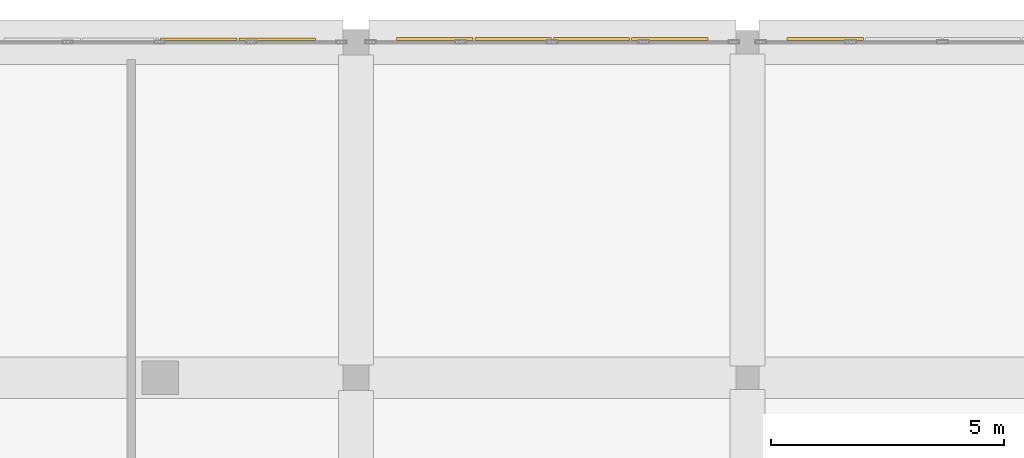
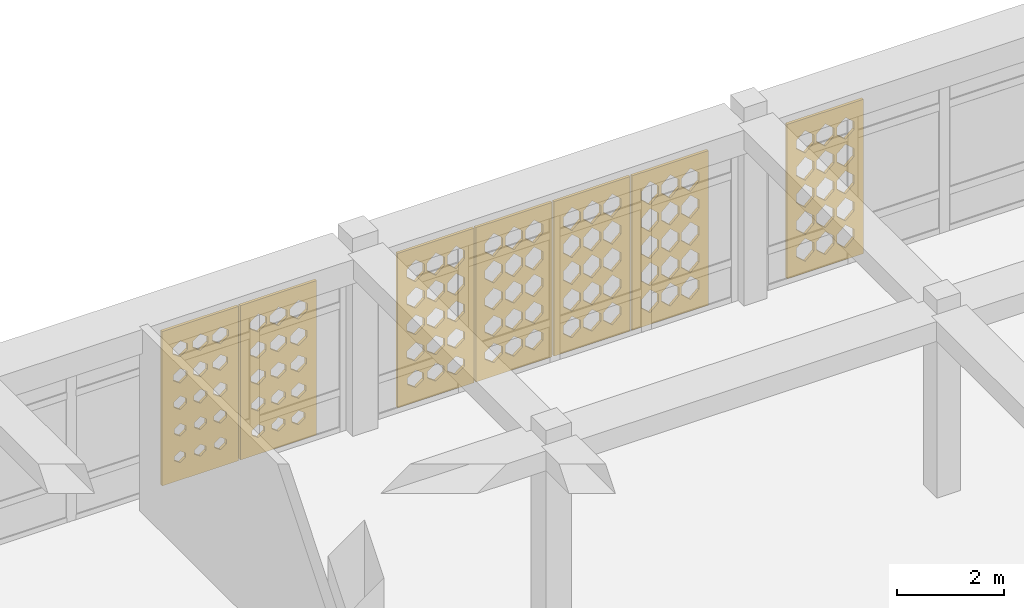
# One storey, part 114 of 121: 7 coverings.
"""IFC4 building model written with IfcOpenShell, lengths in metres."""

from ifc_helpers import new_model, si_unit, derived_unit, direction, frame, origin, place, context, subcontext, project, spatial, polyline, outline, extrude, material, layer, layer_set, type_object, element, save


model = new_model("IFC4")

# Units and contexts
model_context = context("Model", 3, precision=1e-05, world=origin(), true_north=direction((0.0, 1.0)))
body_context = subcontext(model_context, "Body", "Model", "MODEL_VIEW")
ifc_project = project(units=[si_unit("LENGTHUNIT", "METRE"), si_unit("AREAUNIT", "SQUARE_METRE"), si_unit("VOLUMEUNIT", "CUBIC_METRE"), si_unit("PLANEANGLEUNIT", "RADIAN"), si_unit("MASSUNIT", "GRAM", prefix="KILO"), derived_unit("THERMALTRANSMITTANCEUNIT", [(si_unit("POWERUNIT", "WATT"), 1), (si_unit("LENGTHUNIT", "METRE"), -2), (si_unit("THERMODYNAMICTEMPERATUREUNIT", "KELVIN"), -1)])], contexts=[model_context])

# Site, building, storey
site_placement = place(None, origin())
site = spatial("IfcSite", under=ifc_project, at=site_placement, CompositionType="ELEMENT")
building_placement = place(site_placement, origin())
building = spatial("IfcBuilding", under=site, at=building_placement, Name="Veybourne Emporium", CompositionType="ELEMENT")
storey_placement = place(building_placement, frame((0.0, 0.0, 5.39990234375)))
storey = spatial("IfcBuildingStorey", under=building, at=storey_placement, Name="L01", CompositionType="ELEMENT", Elevation=5.39990234375)

# Coverings
ifc_material = material(Name="Warm-White Perforated Aluminium Screen Alloy", Category="aluminium")
ifc_layer_1 = layer(ifc_material, 0.06005859375)
ifc_layer_set_1 = layer_set([ifc_layer_1], Name="Warm-White Perforated Aluminium Screen Alloy")
covering_type_1 = type_object("IfcCoveringType", Name="WaveScreen_SCR-01", PredefinedType="CLADDING", material=ifc_layer_set_1)
covering_1_placement = place(storey_placement, frame((87.37255859375, 115.29541015625, 1.815185546875), z_axis=(0.0, -1.0, 0.0), x_axis=(1.0, 0.0, 0.0)))
element("IfcCovering", 1, at=covering_1_placement, inside=storey, type_object=covering_type_1, Name="L01 wave-perforated aluminium screen SCR-01 (45C.2)", PredefinedType="CLADDING", context=body_context, shape_type="SweptSolid", body=[
    extrude(outline(polyline([(-0.81982421875, -1.7548828125), (0.81982421875, -1.7548828125), (0.81982421875, 1.7548828125), (-0.81982421875, 1.7548828125), (-0.81982421875, -1.7548828125)]), holes=[polyline([(-0.433349609375, -1.00537109375), (-0.2470703125, -1.147705078125), (-0.2470703125, -1.30810546875), (-0.433349609375, -1.45068359375), (-0.61962890625, -1.30810546875), (-0.61962890625, -1.147705078125), (-0.433349609375, -1.00537109375)]), polyline([(-0.433349609375, -0.378662109375), (-0.2470703125, -0.529296875), (-0.2470703125, -0.69873046875), (-0.433349609375, -0.849365234375), (-0.61962890625, -0.69873046875), (-0.61962890625, -0.529296875), (-0.433349609375, -0.378662109375)]), polyline([(-0.433349609375, 0.246826171875), (-0.2470703125, 0.0888671875), (-0.2470703125, -0.0888671875), (-0.433349609375, -0.246826171875), (-0.61962890625, -0.0888671875), (-0.61962890625, 0.0888671875), (-0.433349609375, 0.246826171875)]), polyline([(-0.433349609375, 0.87060546875), (-0.2470703125, 0.706298828125), (-0.2470703125, 0.521484375), (-0.433349609375, 0.357421875), (-0.61962890625, 0.521484375), (-0.61962890625, 0.706298828125), (-0.433349609375, 0.87060546875)]), polyline([(-0.433349609375, 1.491943359375), (-0.2470703125, 1.322998046875), (-0.2470703125, 1.133056640625), (-0.433349609375, 0.964111328125), (-0.61962890625, 1.133056640625), (-0.61962890625, 1.322998046875), (-0.433349609375, 1.491943359375)]), polyline([(0.0, -0.99951171875), (0.186279296875, -1.145751953125), (0.186279296875, -1.310302734375), (0.0, -1.45654296875), (-0.186279296875, -1.310302734375), (-0.186279296875, -1.145751953125), (0.0, -0.99951171875)]), polyline([(0.0, -0.373291015625), (0.186279296875, -0.52734375), (0.186279296875, -0.70068359375), (0.0, -0.854736328125), (-0.186279296875, -0.70068359375), (-0.186279296875, -0.52734375), (0.0, -0.373291015625)]), polyline([(0.0, 0.25146484375), (0.186279296875, 0.090576171875), (0.186279296875, -0.090576171875), (0.0, -0.25146484375), (-0.186279296875, -0.090576171875), (-0.186279296875, 0.090576171875), (0.0, 0.25146484375)]), polyline([(0.0, 0.87451171875), (0.186279296875, 0.707763671875), (0.186279296875, 0.520263671875), (0.0, 0.353515625), (-0.186279296875, 0.520263671875), (-0.186279296875, 0.707763671875), (0.0, 0.87451171875)]), polyline([(0.0, 1.491943359375), (0.186279296875, 1.322998046875), (0.186279296875, 1.133056640625), (0.0, 0.964111328125), (-0.186279296875, 1.133056640625), (-0.186279296875, 1.322998046875), (0.0, 1.491943359375)]), polyline([(0.433349609375, -0.993896484375), (0.61962890625, -1.143798828125), (0.61962890625, -1.312255859375), (0.433349609375, -1.462158203125), (0.2470703125, -1.312255859375), (0.2470703125, -1.143798828125), (0.433349609375, -0.993896484375)]), polyline([(0.433349609375, -0.3681640625), (0.61962890625, -0.525390625), (0.61962890625, -0.702392578125), (0.433349609375, -0.85986328125), (0.2470703125, -0.702392578125), (0.2470703125, -0.525390625), (0.433349609375, -0.3681640625)]), polyline([(0.433349609375, 0.255859375), (0.61962890625, 0.092041015625), (0.61962890625, -0.092041015625), (0.433349609375, -0.255859375), (0.2470703125, -0.092041015625), (0.2470703125, 0.092041015625), (0.433349609375, 0.255859375)]), polyline([(0.433349609375, 0.8779296875), (0.61962890625, 0.708984375), (0.61962890625, 0.51904296875), (0.433349609375, 0.35009765625), (0.2470703125, 0.51904296875), (0.2470703125, 0.708984375), (0.433349609375, 0.8779296875)]), polyline([(0.433349609375, 1.491943359375), (0.61962890625, 1.322998046875), (0.61962890625, 1.133056640625), (0.433349609375, 0.964111328125), (0.2470703125, 1.133056640625), (0.2470703125, 1.322998046875), (0.433349609375, 1.491943359375)])]), origin(), (0.0, 0.0, 1.0), 0.06005859375),
])
ifc_layer_2 = layer(ifc_material, 0.06005859375)
ifc_layer_set_2 = layer_set([ifc_layer_2], Name="Warm-White Perforated Aluminium Screen Alloy")
covering_type_2 = type_object("IfcCoveringType", Name="WaveScreen_SCR-02", PredefinedType="CLADDING", material=ifc_layer_set_2)
covering_2_placement = place(storey_placement, frame((89.052490234375, 115.29541015625, 1.815185546875), z_axis=(0.0, -1.0, 0.0), x_axis=(1.0, 0.0, 0.0)))
element("IfcCovering", 2, at=covering_2_placement, inside=storey, type_object=covering_type_2, Name="L01 wave-perforated aluminium screen SCR-02 (45C.3)", PredefinedType="CLADDING", context=body_context, shape_type="SweptSolid", body=[
    extrude(outline(polyline([(-0.81982421875, -1.7548828125), (0.81982421875, -1.7548828125), (0.81982421875, 1.7548828125), (-0.81982421875, 1.7548828125), (-0.81982421875, -1.7548828125)]), holes=[polyline([(-0.433349609375, -0.98388671875), (-0.2470703125, -1.14013671875), (-0.2470703125, -1.31591796875), (-0.433349609375, -1.47216796875), (-0.61962890625, -1.31591796875), (-0.61962890625, -1.14013671875), (-0.433349609375, -0.98388671875)]), polyline([(-0.433349609375, -0.359619140625), (-0.2470703125, -0.5224609375), (-0.2470703125, -0.70556640625), (-0.433349609375, -0.868408203125), (-0.61962890625, -0.70556640625), (-0.61962890625, -0.5224609375), (-0.433349609375, -0.359619140625)]), polyline([(-0.433349609375, 0.2626953125), (-0.2470703125, 0.094482421875), (-0.2470703125, -0.094482421875), (-0.433349609375, -0.2626953125), (-0.61962890625, -0.094482421875), (-0.61962890625, 0.094482421875), (-0.433349609375, 0.2626953125)]), polyline([(-0.433349609375, 0.8779296875), (-0.2470703125, 0.708984375), (-0.2470703125, 0.51904296875), (-0.433349609375, 0.35009765625), (-0.61962890625, 0.51904296875), (-0.61962890625, 0.708984375), (-0.433349609375, 0.8779296875)]), polyline([(-0.433349609375, 1.491943359375), (-0.2470703125, 1.322998046875), (-0.2470703125, 1.133056640625), (-0.433349609375, 0.964111328125), (-0.61962890625, 1.133056640625), (-0.61962890625, 1.322998046875), (-0.433349609375, 1.491943359375)]), polyline([(0.0, -0.97900390625), (0.186279296875, -1.138427734375), (0.186279296875, -1.317626953125), (0.0, -1.47705078125), (-0.186279296875, -1.317626953125), (-0.186279296875, -1.138427734375), (0.0, -0.97900390625)]), polyline([(0.0, -0.35546875), (0.186279296875, -0.52099609375), (0.186279296875, -0.70703125), (0.0, -0.87255859375), (-0.186279296875, -0.70703125), (-0.186279296875, -0.52099609375), (0.0, -0.35546875)]), polyline([(0.0, 0.263916015625), (0.186279296875, 0.094970703125), (0.186279296875, -0.094970703125), (0.0, -0.263916015625), (-0.186279296875, -0.094970703125), (-0.186279296875, 0.094970703125), (0.0, 0.263916015625)]), polyline([(0.0, 0.8779296875), (0.186279296875, 0.708984375), (0.186279296875, 0.51904296875), (0.0, 0.35009765625), (-0.186279296875, 0.51904296875), (-0.186279296875, 0.708984375), (0.0, 0.8779296875)]), polyline([(0.0, 1.491943359375), (0.186279296875, 1.322998046875), (0.186279296875, 1.133056640625), (0.0, 0.964111328125), (-0.186279296875, 1.133056640625), (-0.186279296875, 1.322998046875), (0.0, 1.491943359375)]), polyline([(0.433349609375, -0.974609375), (0.61962890625, -1.13671875), (0.61962890625, -1.3193359375), (0.433349609375, -1.4814453125), (0.2470703125, -1.3193359375), (0.2470703125, -1.13671875), (0.433349609375, -0.974609375)]), polyline([(0.433349609375, -0.351806640625), (0.61962890625, -0.51953125), (0.61962890625, -0.70849609375), (0.433349609375, -0.876220703125), (0.2470703125, -0.70849609375), (0.2470703125, -0.51953125), (0.433349609375, -0.351806640625)]), polyline([(0.433349609375, 0.263916015625), (0.61962890625, 0.094970703125), (0.61962890625, -0.094970703125), (0.433349609375, -0.263916015625), (0.2470703125, -0.094970703125), (0.2470703125, 0.094970703125), (0.433349609375, 0.263916015625)]), polyline([(0.433349609375, 0.8779296875), (0.61962890625, 0.708984375), (0.61962890625, 0.51904296875), (0.433349609375, 0.35009765625), (0.2470703125, 0.51904296875), (0.2470703125, 0.708984375), (0.433349609375, 0.8779296875)]), polyline([(0.433349609375, 1.491943359375), (0.61962890625, 1.322998046875), (0.61962890625, 1.133056640625), (0.433349609375, 0.964111328125), (0.2470703125, 1.133056640625), (0.2470703125, 1.322998046875), (0.433349609375, 1.491943359375)])]), origin(), (0.0, 0.0, 1.0), 0.06005859375),
])
ifc_layer_3 = layer(ifc_material, 0.06005859375)
ifc_layer_set_3 = layer_set([ifc_layer_3], Name="Warm-White Perforated Aluminium Screen Alloy")
covering_type_3 = type_object("IfcCoveringType", Name="WaveScreen_SCR-03", PredefinedType="CLADDING", material=ifc_layer_set_3)
covering_3_placement = place(storey_placement, frame((80.62744140625, 115.29296875, 1.815185546875), z_axis=(0.0, -1.0, 0.0), x_axis=(1.0, 0.0, 0.0)))
element("IfcCovering", 3, at=covering_3_placement, inside=storey, type_object=covering_type_3, Name="L01 wave-perforated aluminium screen SCR-03 (42C.3)", PredefinedType="CLADDING", context=body_context, shape_type="SweptSolid", body=[
    extrude(outline(polyline([(-0.81982421875, -1.7548828125), (0.81982421875, -1.7548828125), (0.81982421875, 1.7548828125), (-0.81982421875, 1.7548828125), (-0.81982421875, -1.7548828125)]), holes=[polyline([(-0.433349609375, -1.096923828125), (-0.316162109375, -1.180908203125), (-0.316162109375, -1.275146484375), (-0.433349609375, -1.35888671875), (-0.550537109375, -1.275146484375), (-0.550537109375, -1.180908203125), (-0.433349609375, -1.096923828125)]), polyline([(-0.433349609375, -0.47265625), (-0.3076171875, -0.56298828125), (-0.3076171875, -0.664794921875), (-0.433349609375, -0.75537109375), (-0.55908203125, -0.664794921875), (-0.55908203125, -0.56298828125), (-0.433349609375, -0.47265625)]), polyline([(-0.433349609375, 0.1533203125), (-0.298095703125, 0.05517578125), (-0.298095703125, -0.05517578125), (-0.433349609375, -0.1533203125), (-0.568603515625, -0.05517578125), (-0.568603515625, 0.05517578125), (-0.433349609375, 0.1533203125)]), polyline([(-0.433349609375, 0.7802734375), (-0.287353515625, 0.673828125), (-0.287353515625, 0.55419921875), (-0.433349609375, 0.44775390625), (-0.579345703125, 0.55419921875), (-0.579345703125, 0.673828125), (-0.433349609375, 0.7802734375)]), polyline([(-0.433349609375, 1.407958984375), (-0.276123046875, 1.292724609375), (-0.276123046875, 1.1630859375), (-0.433349609375, 1.048095703125), (-0.590576171875, 1.1630859375), (-0.590576171875, 1.292724609375), (-0.433349609375, 1.407958984375)]), polyline([(0.0, -1.092529296875), (0.120849609375, -1.17919921875), (0.120849609375, -1.27685546875), (0.0, -1.363525390625), (-0.120849609375, -1.27685546875), (-0.120849609375, -1.17919921875), (0.0, -1.092529296875)]), polyline([(0.0, -0.46728515625), (0.1298828125, -0.561279296875), (0.1298828125, -0.666748046875), (0.0, -0.760498046875), (-0.1298828125, -0.666748046875), (-0.1298828125, -0.561279296875), (0.0, -0.46728515625)]), polyline([(0.0, 0.158935546875), (0.14013671875, 0.05712890625), (0.14013671875, -0.05712890625), (0.0, -0.158935546875), (-0.14013671875, -0.05712890625), (-0.14013671875, 0.05712890625), (0.0, 0.158935546875)]), polyline([(0.0, 0.786376953125), (0.15087890625, 0.676025390625), (0.15087890625, 0.552001953125), (0.0, 0.441650390625), (-0.15087890625, 0.552001953125), (-0.15087890625, 0.676025390625), (0.0, 0.786376953125)]), polyline([(0.0, 1.414306640625), (0.16259765625, 1.295166015625), (0.16259765625, 1.160888671875), (0.0, 1.041748046875), (-0.16259765625, 1.160888671875), (-0.16259765625, 1.295166015625), (0.0, 1.414306640625)]), polyline([(0.433349609375, -1.087646484375), (0.55810546875, -1.177490234375), (0.55810546875, -1.278564453125), (0.433349609375, -1.368408203125), (0.30859375, -1.278564453125), (0.30859375, -1.177490234375), (0.433349609375, -1.087646484375)]), polyline([(0.433349609375, -0.4619140625), (0.567626953125, -0.559326171875), (0.567626953125, -0.668701171875), (0.433349609375, -0.76611328125), (0.298828125, -0.668701171875), (0.298828125, -0.559326171875), (0.433349609375, -0.4619140625)]), polyline([(0.433349609375, 0.164794921875), (0.578369140625, 0.059326171875), (0.578369140625, -0.059326171875), (0.433349609375, -0.164794921875), (0.288330078125, -0.059326171875), (0.288330078125, 0.059326171875), (0.433349609375, 0.164794921875)]), polyline([(0.433349609375, 0.79248046875), (0.589599609375, 0.67822265625), (0.589599609375, 0.5498046875), (0.433349609375, 0.435302734375), (0.277099609375, 0.5498046875), (0.277099609375, 0.67822265625), (0.433349609375, 0.79248046875)]), polyline([(0.433349609375, 1.4208984375), (0.60107421875, 1.29736328125), (0.60107421875, 1.15869140625), (0.433349609375, 1.03515625), (0.265625, 1.15869140625), (0.265625, 1.29736328125), (0.433349609375, 1.4208984375)])]), origin(), (0.0, 0.0, 1.0), 0.06005859375),
])
covering_4_placement = place(storey_placement, frame((90.732421875, 115.29541015625, 1.815185546875), z_axis=(0.0, -1.0, 0.0), x_axis=(1.0, 0.0, 0.0)))
element("IfcCovering", 4, at=covering_4_placement, inside=storey, type_object=covering_type_3, Name="L01 wave-perforated aluminium screen SCR-03 (45C.4)", PredefinedType="CLADDING", context=body_context, shape_type="SweptSolid", body=[
    extrude(outline(polyline([(-0.81982421875, -1.7548828125), (0.81982421875, -1.7548828125), (0.81982421875, 1.7548828125), (-0.81982421875, 1.7548828125), (-0.81982421875, -1.7548828125)]), holes=[polyline([(-0.433349609375, -0.967041015625), (-0.2470703125, -1.134033203125), (-0.2470703125, -1.322021484375), (-0.433349609375, -1.489013671875), (-0.61962890625, -1.322021484375), (-0.61962890625, -1.134033203125), (-0.433349609375, -0.967041015625)]), polyline([(-0.433349609375, -0.35009765625), (-0.2470703125, -0.51904296875), (-0.2470703125, -0.708984375), (-0.433349609375, -0.8779296875), (-0.61962890625, -0.708984375), (-0.61962890625, -0.51904296875), (-0.433349609375, -0.35009765625)]), polyline([(-0.433349609375, 0.263916015625), (-0.2470703125, 0.094970703125), (-0.2470703125, -0.094970703125), (-0.433349609375, -0.263916015625), (-0.61962890625, -0.094970703125), (-0.61962890625, 0.094970703125), (-0.433349609375, 0.263916015625)]), polyline([(-0.433349609375, 0.8779296875), (-0.2470703125, 0.708984375), (-0.2470703125, 0.51904296875), (-0.433349609375, 0.35009765625), (-0.61962890625, 0.51904296875), (-0.61962890625, 0.708984375), (-0.433349609375, 0.8779296875)]), polyline([(-0.433349609375, 1.491943359375), (-0.2470703125, 1.322998046875), (-0.2470703125, 1.133056640625), (-0.433349609375, 0.964111328125), (-0.61962890625, 1.133056640625), (-0.61962890625, 1.322998046875), (-0.433349609375, 1.491943359375)]), polyline([(0.0, -0.964111328125), (0.186279296875, -1.133056640625), (0.186279296875, -1.322998046875), (0.0, -1.491943359375), (-0.186279296875, -1.322998046875), (-0.186279296875, -1.133056640625), (0.0, -0.964111328125)]), polyline([(0.0, -0.35009765625), (0.186279296875, -0.51904296875), (0.186279296875, -0.708984375), (0.0, -0.8779296875), (-0.186279296875, -0.708984375), (-0.186279296875, -0.51904296875), (0.0, -0.35009765625)]), polyline([(0.0, 0.263916015625), (0.186279296875, 0.094970703125), (0.186279296875, -0.094970703125), (0.0, -0.263916015625), (-0.186279296875, -0.094970703125), (-0.186279296875, 0.094970703125), (0.0, 0.263916015625)]), polyline([(0.0, 0.8779296875), (0.186279296875, 0.708984375), (0.186279296875, 0.51904296875), (0.0, 0.35009765625), (-0.186279296875, 0.51904296875), (-0.186279296875, 0.708984375), (0.0, 0.8779296875)]), polyline([(0.0, 1.491943359375), (0.186279296875, 1.322998046875), (0.186279296875, 1.133056640625), (0.0, 0.964111328125), (-0.186279296875, 1.133056640625), (-0.186279296875, 1.322998046875), (0.0, 1.491943359375)]), polyline([(0.433349609375, -0.964111328125), (0.61962890625, -1.133056640625), (0.61962890625, -1.322998046875), (0.433349609375, -1.491943359375), (0.2470703125, -1.322998046875), (0.2470703125, -1.133056640625), (0.433349609375, -0.964111328125)]), polyline([(0.433349609375, -0.35009765625), (0.61962890625, -0.51904296875), (0.61962890625, -0.708984375), (0.433349609375, -0.8779296875), (0.2470703125, -0.708984375), (0.2470703125, -0.51904296875), (0.433349609375, -0.35009765625)]), polyline([(0.433349609375, 0.263916015625), (0.61962890625, 0.094970703125), (0.61962890625, -0.094970703125), (0.433349609375, -0.263916015625), (0.2470703125, -0.094970703125), (0.2470703125, 0.094970703125), (0.433349609375, 0.263916015625)]), polyline([(0.433349609375, 0.8779296875), (0.61962890625, 0.708984375), (0.61962890625, 0.51904296875), (0.433349609375, 0.35009765625), (0.2470703125, 0.51904296875), (0.2470703125, 0.708984375), (0.433349609375, 0.8779296875)]), polyline([(0.433349609375, 1.491943359375), (0.61962890625, 1.322998046875), (0.61962890625, 1.133056640625), (0.433349609375, 0.964111328125), (0.2470703125, 1.133056640625), (0.2470703125, 1.322998046875), (0.433349609375, 1.491943359375)])]), origin(), (0.0, 0.0, 1.0), 0.06005859375),
])
covering_5_placement = place(storey_placement, frame((94.0673828125, 115.297119140625, 1.815185546875), z_axis=(0.0, -1.0, 0.0), x_axis=(1.0, 0.0, 0.0)))
element("IfcCovering", 5, at=covering_5_placement, inside=storey, type_object=covering_type_3, Name="L01 wave-perforated aluminium screen SCR-03 (60C.1)", PredefinedType="CLADDING", context=body_context, shape_type="SweptSolid", body=[
    extrude(outline(polyline([(-0.81982421875, -1.7548828125), (0.81982421875, -1.7548828125), (0.81982421875, 1.7548828125), (-0.81982421875, 1.7548828125), (-0.81982421875, -1.7548828125)]), holes=[polyline([(-0.433349609375, -0.964111328125), (-0.2470703125, -1.133056640625), (-0.2470703125, -1.322998046875), (-0.433349609375, -1.491943359375), (-0.61962890625, -1.322998046875), (-0.61962890625, -1.133056640625), (-0.433349609375, -0.964111328125)]), polyline([(-0.433349609375, -0.35009765625), (-0.2470703125, -0.51904296875), (-0.2470703125, -0.708984375), (-0.433349609375, -0.8779296875), (-0.61962890625, -0.708984375), (-0.61962890625, -0.51904296875), (-0.433349609375, -0.35009765625)]), polyline([(-0.433349609375, 0.263916015625), (-0.2470703125, 0.094970703125), (-0.2470703125, -0.094970703125), (-0.433349609375, -0.263916015625), (-0.61962890625, -0.094970703125), (-0.61962890625, 0.094970703125), (-0.433349609375, 0.263916015625)]), polyline([(-0.433349609375, 0.8779296875), (-0.2470703125, 0.708984375), (-0.2470703125, 0.51904296875), (-0.433349609375, 0.35009765625), (-0.61962890625, 0.51904296875), (-0.61962890625, 0.708984375), (-0.433349609375, 0.8779296875)]), polyline([(-0.433349609375, 1.48388671875), (-0.2470703125, 1.320068359375), (-0.2470703125, 1.135986328125), (-0.433349609375, 0.97216796875), (-0.61962890625, 1.135986328125), (-0.61962890625, 1.320068359375), (-0.433349609375, 1.48388671875)]), polyline([(0.0, -0.964111328125), (0.186279296875, -1.133056640625), (0.186279296875, -1.322998046875), (0.0, -1.491943359375), (-0.186279296875, -1.322998046875), (-0.186279296875, -1.133056640625), (0.0, -0.964111328125)]), polyline([(0.0, -0.35009765625), (0.186279296875, -0.51904296875), (0.186279296875, -0.708984375), (0.0, -0.8779296875), (-0.186279296875, -0.708984375), (-0.186279296875, -0.51904296875), (0.0, -0.35009765625)]), polyline([(0.0, 0.263916015625), (0.186279296875, 0.094970703125), (0.186279296875, -0.094970703125), (0.0, -0.263916015625), (-0.186279296875, -0.094970703125), (-0.186279296875, 0.094970703125), (0.0, 0.263916015625)]), polyline([(0.0, 0.87451171875), (0.186279296875, 0.707763671875), (0.186279296875, 0.520263671875), (0.0, 0.353515625), (-0.186279296875, 0.520263671875), (-0.186279296875, 0.707763671875), (0.0, 0.87451171875)]), polyline([(0.0, 1.4794921875), (0.186279296875, 1.318603515625), (0.186279296875, 1.137451171875), (0.0, 0.9765625), (-0.186279296875, 1.137451171875), (-0.186279296875, 1.318603515625), (0.0, 1.4794921875)]), polyline([(0.433349609375, -0.964111328125), (0.61962890625, -1.133056640625), (0.61962890625, -1.322998046875), (0.433349609375, -1.491943359375), (0.2470703125, -1.322998046875), (0.2470703125, -1.133056640625), (0.433349609375, -0.964111328125)]), polyline([(0.433349609375, -0.35009765625), (0.61962890625, -0.51904296875), (0.61962890625, -0.708984375), (0.433349609375, -0.8779296875), (0.2470703125, -0.708984375), (0.2470703125, -0.51904296875), (0.433349609375, -0.35009765625)]), polyline([(0.433349609375, 0.263916015625), (0.61962890625, 0.094970703125), (0.61962890625, -0.094970703125), (0.433349609375, -0.263916015625), (0.2470703125, -0.094970703125), (0.2470703125, 0.094970703125), (0.433349609375, 0.263916015625)]), polyline([(0.433349609375, 0.87060546875), (0.61962890625, 0.706298828125), (0.61962890625, 0.521484375), (0.433349609375, 0.357421875), (0.2470703125, 0.521484375), (0.2470703125, 0.706298828125), (0.433349609375, 0.87060546875)]), polyline([(0.433349609375, 1.474853515625), (0.61962890625, 1.31689453125), (0.61962890625, 1.13916015625), (0.433349609375, 0.981201171875), (0.2470703125, 1.13916015625), (0.2470703125, 1.31689453125), (0.433349609375, 1.474853515625)])]), origin(), (0.0, 0.0, 1.0), 0.06005859375),
])
ifc_layer_4 = layer(ifc_material, 0.06005859375)
ifc_layer_set_4 = layer_set([ifc_layer_4], Name="Warm-White Perforated Aluminium Screen Alloy")
covering_type_4 = type_object("IfcCoveringType", Name="WaveScreen_SCR-04", PredefinedType="CLADDING", material=ifc_layer_set_4)
covering_6_placement = place(storey_placement, frame((82.3076171875, 115.29296875, 1.815185546875), z_axis=(0.0, -1.0, 0.0), x_axis=(1.0, 0.0, 0.0)))
element("IfcCovering", 6, at=covering_6_placement, inside=storey, type_object=covering_type_4, Name="L01 wave-perforated aluminium screen SCR-04 (42C.4)", PredefinedType="CLADDING", context=body_context, shape_type="SweptSolid", body=[
    extrude(outline(polyline([(-0.81982421875, -1.7548828125), (0.81982421875, -1.7548828125), (0.81982421875, 1.7548828125), (-0.81982421875, 1.7548828125), (-0.81982421875, -1.7548828125)]), holes=[polyline([(-0.433349609375, -1.077880859375), (-0.30029296875, -1.173828125), (-0.30029296875, -1.281982421875), (-0.433349609375, -1.378173828125), (-0.566162109375, -1.281982421875), (-0.566162109375, -1.173828125), (-0.433349609375, -1.077880859375)]), polyline([(-0.433349609375, -0.450927734375), (-0.2900390625, -0.555419921875), (-0.2900390625, -0.672607421875), (-0.433349609375, -0.777099609375), (-0.57666015625, -0.672607421875), (-0.57666015625, -0.555419921875), (-0.433349609375, -0.450927734375)]), polyline([(-0.433349609375, 0.176513671875), (-0.27880859375, 0.063720703125), (-0.27880859375, -0.063720703125), (-0.433349609375, -0.176513671875), (-0.587890625, -0.063720703125), (-0.587890625, 0.063720703125), (-0.433349609375, 0.176513671875)]), polyline([(-0.433349609375, 0.8046875), (-0.267333984375, 0.6826171875), (-0.267333984375, 0.54541015625), (-0.433349609375, 0.42333984375), (-0.599365234375, 0.54541015625), (-0.599365234375, 0.6826171875), (-0.433349609375, 0.8046875)]), polyline([(-0.433349609375, 1.432861328125), (-0.255859375, 1.3017578125), (-0.255859375, 1.154296875), (-0.433349609375, 1.023193359375), (-0.61083984375, 1.154296875), (-0.61083984375, 1.3017578125), (-0.433349609375, 1.432861328125)]), polyline([(0.0, -1.072021484375), (0.137451171875, -1.171875), (0.137451171875, -1.2841796875), (0.0, -1.3837890625), (-0.137451171875, -1.2841796875), (-0.137451171875, -1.171875), (0.0, -1.072021484375)]), polyline([(0.0, -0.44482421875), (0.148193359375, -0.552978515625), (0.148193359375, -0.6748046875), (0.0, -0.783203125), (-0.148193359375, -0.6748046875), (-0.148193359375, -0.552978515625), (0.0, -0.44482421875)]), polyline([(0.0, 0.182861328125), (0.15966796875, 0.06591796875), (0.15966796875, -0.06591796875), (0.0, -0.182861328125), (-0.15966796875, -0.06591796875), (-0.15966796875, 0.06591796875), (0.0, 0.182861328125)]), polyline([(0.0, 0.81103515625), (0.17138671875, 0.68505859375), (0.17138671875, 0.54296875), (0.0, 0.4169921875), (-0.17138671875, 0.54296875), (-0.17138671875, 0.68505859375), (0.0, 0.81103515625)]), polyline([(0.0, 1.439208984375), (0.1826171875, 1.303955078125), (0.1826171875, 1.152099609375), (0.0, 1.016845703125), (-0.1826171875, 1.152099609375), (-0.1826171875, 1.303955078125), (0.0, 1.439208984375)]), polyline([(0.433349609375, -1.06640625), (0.57568359375, -1.169921875), (0.57568359375, -1.2861328125), (0.433349609375, -1.3896484375), (0.291015625, -1.2861328125), (0.291015625, -1.169921875), (0.433349609375, -1.06640625)]), polyline([(0.433349609375, -0.438720703125), (0.5869140625, -0.55078125), (0.5869140625, -0.677001953125), (0.433349609375, -0.789306640625), (0.27978515625, -0.677001953125), (0.27978515625, -0.55078125), (0.433349609375, -0.438720703125)]), polyline([(0.433349609375, 0.189208984375), (0.598388671875, 0.068115234375), (0.598388671875, -0.068115234375), (0.433349609375, -0.189208984375), (0.268310546875, -0.068115234375), (0.268310546875, 0.068115234375), (0.433349609375, 0.189208984375)]), polyline([(0.433349609375, 0.8173828125), (0.60986328125, 0.687255859375), (0.60986328125, 0.540771484375), (0.433349609375, 0.410400390625), (0.2568359375, 0.540771484375), (0.2568359375, 0.687255859375), (0.433349609375, 0.8173828125)]), polyline([(0.433349609375, 1.4453125), (0.61962890625, 1.30615234375), (0.61962890625, 1.14990234375), (0.433349609375, 1.0107421875), (0.2470703125, 1.14990234375), (0.2470703125, 1.30615234375), (0.433349609375, 1.4453125)])]), origin(), (0.0, 0.0, 1.0), 0.06005859375),
])
covering_7_placement = place(storey_placement, frame((85.6923828125, 115.29541015625, 1.815185546875), z_axis=(0.0, -1.0, 0.0), x_axis=(1.0, 0.0, 0.0)))
element("IfcCovering", 7, at=covering_7_placement, inside=storey, type_object=covering_type_4, Name="L01 wave-perforated aluminium screen SCR-04 (45C.1)", PredefinedType="CLADDING", context=body_context, shape_type="SweptSolid", body=[
    extrude(outline(polyline([(-0.81982421875, -1.7548828125), (0.81982421875, -1.7548828125), (0.81982421875, 1.7548828125), (-0.81982421875, 1.7548828125), (-0.81982421875, -1.7548828125)]), holes=[polyline([(-0.433349609375, -1.029541015625), (-0.260986328125, -1.156494140625), (-0.260986328125, -1.29931640625), (-0.433349609375, -1.426513671875), (-0.605712890625, -1.29931640625), (-0.605712890625, -1.156494140625), (-0.433349609375, -1.029541015625)]), polyline([(-0.433349609375, -0.401611328125), (-0.24951171875, -0.53759765625), (-0.24951171875, -0.6904296875), (-0.433349609375, -0.826416015625), (-0.6171875, -0.6904296875), (-0.6171875, -0.53759765625), (-0.433349609375, -0.401611328125)]), polyline([(-0.433349609375, 0.225830078125), (-0.2470703125, 0.081298828125), (-0.2470703125, -0.081298828125), (-0.433349609375, -0.225830078125), (-0.61962890625, -0.081298828125), (-0.61962890625, 0.081298828125), (-0.433349609375, 0.225830078125)]), polyline([(-0.433349609375, 0.852294921875), (-0.2470703125, 0.69970703125), (-0.2470703125, 0.5283203125), (-0.433349609375, 0.375732421875), (-0.61962890625, 0.5283203125), (-0.61962890625, 0.69970703125), (-0.433349609375, 0.852294921875)]), polyline([(-0.433349609375, 1.477294921875), (-0.2470703125, 1.317626953125), (-0.2470703125, 1.13818359375), (-0.433349609375, 0.978759765625), (-0.61962890625, 1.13818359375), (-0.61962890625, 1.317626953125), (-0.433349609375, 1.477294921875)]), polyline([(0.0, -1.023193359375), (0.177490234375, -1.154296875), (0.177490234375, -1.3017578125), (0.0, -1.432861328125), (-0.177490234375, -1.3017578125), (-0.177490234375, -1.154296875), (0.0, -1.023193359375)]), polyline([(0.0, -0.3955078125), (0.186279296875, -0.535400390625), (0.186279296875, -0.692626953125), (0.0, -0.83251953125), (-0.186279296875, -0.692626953125), (-0.186279296875, -0.535400390625), (0.0, -0.3955078125)]), polyline([(0.0, 0.231689453125), (0.186279296875, 0.08349609375), (0.186279296875, -0.08349609375), (0.0, -0.231689453125), (-0.186279296875, -0.08349609375), (-0.186279296875, 0.08349609375), (0.0, 0.231689453125)]), polyline([(0.0, 0.857421875), (0.186279296875, 0.70166015625), (0.186279296875, 0.5263671875), (0.0, 0.37060546875), (-0.186279296875, 0.5263671875), (-0.186279296875, 0.70166015625), (0.0, 0.857421875)]), polyline([(0.0, 1.481689453125), (0.186279296875, 1.3193359375), (0.186279296875, 1.13671875), (0.0, 0.97412109375), (-0.186279296875, 1.13671875), (-0.186279296875, 1.3193359375), (0.0, 1.481689453125)]), polyline([(0.433349609375, -1.016845703125), (0.6162109375, -1.152099609375), (0.6162109375, -1.303955078125), (0.433349609375, -1.439208984375), (0.25048828125, -1.303955078125), (0.25048828125, -1.152099609375), (0.433349609375, -1.016845703125)]), polyline([(0.433349609375, -0.389404296875), (0.61962890625, -0.533203125), (0.61962890625, -0.69482421875), (0.433349609375, -0.838623046875), (0.2470703125, -0.69482421875), (0.2470703125, -0.533203125), (0.433349609375, -0.389404296875)]), polyline([(0.433349609375, 0.237060546875), (0.61962890625, 0.08544921875), (0.61962890625, -0.08544921875), (0.433349609375, -0.237060546875), (0.2470703125, -0.08544921875), (0.2470703125, 0.08544921875), (0.433349609375, 0.237060546875)]), polyline([(0.433349609375, 0.8623046875), (0.61962890625, 0.703369140625), (0.61962890625, 0.524658203125), (0.433349609375, 0.36572265625), (0.2470703125, 0.524658203125), (0.2470703125, 0.703369140625), (0.433349609375, 0.8623046875)]), polyline([(0.433349609375, 1.48583984375), (0.61962890625, 1.32080078125), (0.61962890625, 1.13525390625), (0.433349609375, 0.97021484375), (0.2470703125, 1.13525390625), (0.2470703125, 1.32080078125), (0.433349609375, 1.48583984375)])]), origin(), (0.0, 0.0, 1.0), 0.06005859375),
])

save(model, "model.ifc")
